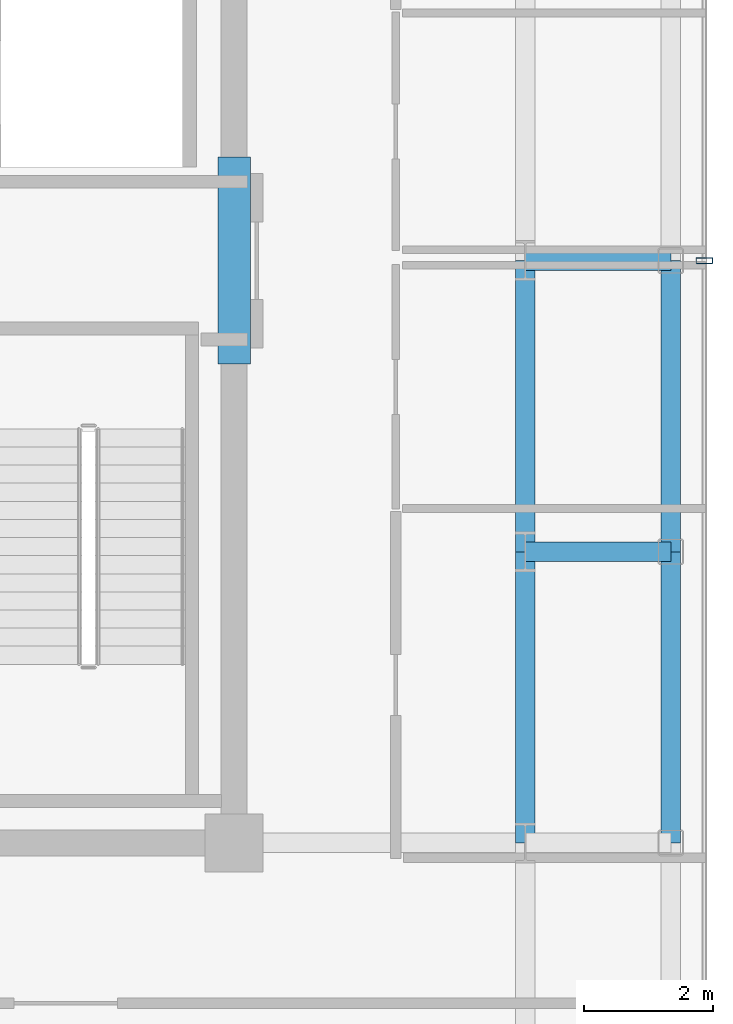
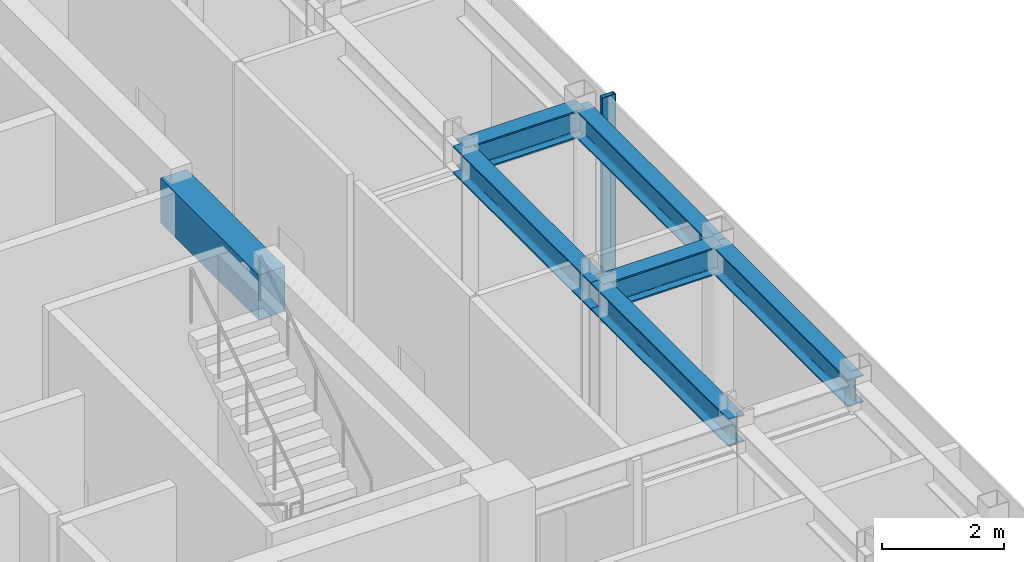
# One storey, part 7 of 17: 7 beams, 1 member, 1 element without a shape of its own.
"""IFC4 building model written with IfcOpenShell, lengths in metres."""

from ifc_helpers import new_model, si_unit, direction, frame, origin, origin_2d, place, context, subcontext, project, spatial, rectangle, hollow_rectangle, i_section, extrude, source, transform, mapped, material, layer, layer_set, material_profile, profile_set, type_object, element, aggregate, save


model = new_model("IFC4")

# Units and contexts
model_context = context("Model", 3, precision=1e-05, world=origin(), true_north=direction((0.0, 1.0)))
body_context = subcontext(model_context, "Body", "Model", "MODEL_VIEW")
ifc_project = project(units=[si_unit("LENGTHUNIT", "METRE"), si_unit("AREAUNIT", "SQUARE_METRE"), si_unit("VOLUMEUNIT", "CUBIC_METRE"), si_unit("PLANEANGLEUNIT", "RADIAN"), si_unit("MASSUNIT", "GRAM", prefix="KILO")], contexts=[model_context])

# Site, building, storey
site_placement = place(None, origin())
site = spatial("IfcSite", under=ifc_project, at=site_placement, CompositionType="ELEMENT")
building_placement = place(site_placement, origin())
building = spatial("IfcBuilding", under=site, at=building_placement, Name="Nefas-Gora Pilgrimage Tower", CompositionType="ELEMENT")
storey_placement = place(building_placement, frame((0.0, 0.0, 349.0)))
storey = spatial("IfcBuildingStorey", under=building, at=storey_placement, Name="L88", CompositionType="ELEMENT", Elevation=349.0)

# Beams
ifc_material_1 = material(Name="Concrete C50/60", Category="concrete")
ifc_material_profile_1 = material_profile(ifc_material_1, rectangle(XDim=0.5, YDim=0.89990234375, at=origin_2d()), Name="RC 500x900")
ifc_profile_set_1 = profile_set([ifc_material_profile_1], Name="Concrete C50/60")
beam_type_1 = type_object("IfcBeamType", Name="BM-LIN-RC900", PredefinedType="LINTEL", material=ifc_profile_set_1)
shared_shape_1 = source(origin(), body_context, "Body", "SweptSolid", [
    extrude(rectangle(XDim=0.5, YDim=0.89990234375, at=origin_2d()), origin(), (0.0, 0.0, 1.0), 3.2001953125),
])
beam_placement = place(storey_placement, frame((11.25, -1.60009765625, 4.050048828125), z_axis=(0.0, 1.0, 0.0), x_axis=(-1.0, 0.0, 0.0)))
element("IfcBeam", 1, at=beam_placement, inside=storey, type_object=beam_type_1, Name="L88 Core Coupling Lintel Beam E", PredefinedType="LINTEL", context=body_context, shape_type="MappedRepresentation", body=[
    mapped(shared_shape_1, transform((0.0, 0.0, 0.0), x_axis=(1.0, 0.0, 0.0), y_axis=(0.0, 1.0, 0.0), z_axis=(0.0, 0.0, 1.0), scale=1.0)),
])
ifc_material_2 = material(Name="Steel S355", Category="steel")
ifc_material_profile_2 = material_profile(ifc_material_2, i_section(OverallWidth=0.300048828125, OverallDepth=0.550048828125, WebThickness=0.014892578125, FlangeThickness=0.029052734375, FilletRadius=0.027099609375, at=origin_2d()), Name="HEB 550")
ifc_profile_set_2 = profile_set([ifc_material_profile_2], Name="Steel S355")
beam_type_2 = type_object("IfcBeamType", Name="BM-SPN-HEB400", PredefinedType="SPANDREL", material=ifc_profile_set_2)
shared_shape_2 = source(origin(), body_context, "Body", "SweptSolid", [
    extrude(i_section(OverallWidth=0.300048828125, OverallDepth=0.550048828125, WebThickness=0.014892578125, FlangeThickness=0.029052734375, FilletRadius=0.027099609375, at=origin_2d()), origin(), (0.0, 0.0, 1.0), 4.5),
])
for number, where, z_axis, x_axis, name in (
    (2, (18.0, -9.0, 4.22509765625), (0.0, 1.0, 0.0), (-1.0, 0.0, 0.0), "L88 SP-04 beam"),
    (3, (18.0, -4.5, 4.22509765625), (0.0, 1.0, 0.0), (-1.0, 0.0, 0.0), "L88 SP-04 beam"),
):
    element("IfcBeam", number, at=place(storey_placement, frame(where, z_axis=z_axis, x_axis=x_axis)), inside=storey, type_object=beam_type_2, Name=name, PredefinedType="SPANDREL", context=body_context, shape_type="MappedRepresentation", body=[
        mapped(shared_shape_2, transform((0.0, 0.0, 0.0), x_axis=(1.0, 0.0, 0.0), y_axis=(0.0, 1.0, 0.0), z_axis=(0.0, 0.0, 1.0), scale=1.0)),
    ])
ifc_material_profile_3 = material_profile(ifc_material_2, i_section(OverallWidth=0.300048828125, OverallDepth=0.550048828125, WebThickness=0.014892578125, FlangeThickness=0.029052734375, FilletRadius=0.027099609375, at=origin_2d()), Name="HEB 550")
ifc_profile_set_3 = profile_set([ifc_material_profile_3], Name="Steel S355")
beam_type_3 = type_object("IfcBeamType", Name="BM-GIR-HEB550", PredefinedType="BEAM", material=ifc_profile_set_3)
shared_shape_3 = source(origin(), body_context, "Body", "SweptSolid", [
    extrude(i_section(OverallWidth=0.300048828125, OverallDepth=0.550048828125, WebThickness=0.014892578125, FlangeThickness=0.029052734375, FilletRadius=0.027099609375, at=origin_2d()), origin(), (0.0, 0.0, 1.0), 4.5),
])
for number, where, z_axis, x_axis, name in (
    (4, (15.75, -9.0, 4.22509765625), (0.0, 1.0, 0.0), (-1.0, 0.0, 0.0), "L88 G-05 beam"),
    (5, (15.75, -4.5, 4.22509765625), (0.0, 1.0, 0.0), (-1.0, 0.0, 0.0), "L88 G-05 beam"),
):
    element("IfcBeam", number, at=place(storey_placement, frame(where, z_axis=z_axis, x_axis=x_axis)), inside=storey, type_object=beam_type_3, Name=name, PredefinedType="BEAM", context=body_context, shape_type="MappedRepresentation", body=[
        mapped(shared_shape_3, transform((0.0, 0.0, 0.0), x_axis=(1.0, 0.0, 0.0), y_axis=(0.0, 1.0, 0.0), z_axis=(0.0, 0.0, 1.0), scale=1.0)),
    ])
shared_shape_4 = source(origin(), body_context, "Body", "SweptSolid", [
    extrude(i_section(OverallWidth=0.300048828125, OverallDepth=0.550048828125, WebThickness=0.014892578125, FlangeThickness=0.029052734375, FilletRadius=0.027099609375, at=origin_2d()), origin(), (0.0, 0.0, 1.0), 2.25),
])
for number, where, z_axis, x_axis, name in (
    (6, (15.75, -4.5, 4.22509765625), (1.0, 0.0, 0.0), (0.0, 1.0, 0.0), "L88 G-05 beam"),
    (7, (15.75, 0.0, 4.22509765625), (1.0, 0.0, 0.0), (0.0, 1.0, 0.0), "L88 G-05 beam"),
):
    element("IfcBeam", number, at=place(storey_placement, frame(where, z_axis=z_axis, x_axis=x_axis)), inside=storey, type_object=beam_type_3, Name=name, PredefinedType="BEAM", context=body_context, shape_type="MappedRepresentation", body=[
        mapped(shared_shape_4, transform((0.0, 0.0, 0.0), x_axis=(1.0, 0.0, 0.0), y_axis=(0.0, 1.0, 0.0), z_axis=(0.0, 0.0, 1.0), scale=1.0)),
    ])

# Curtain wall, member
ifc_material_3 = material(Name="Dark ceramic-fritted solar-control aluminium-glass curtain wall", Category="aluminium")
ifc_layer = layer(ifc_material_3, 0.219970703125)
ifc_layer_set = layer_set([ifc_layer], Name="Dark ceramic-fritted solar-control aluminium-glass curtain wall")
curtain_wall_type = type_object("IfcCurtainWallType", Name="CW-SYS-6", PredefinedType="NOTDEFINED", material=ifc_layer_set)
curtain_wall_placement = place(storey_placement, origin())
curtain_wall = element("IfcCurtainWall", 8, at=curtain_wall_placement, inside=storey, type_object=curtain_wall_type, Name="L88 Unitised Curtain Wall CW6", PredefinedType="NOTDEFINED")
ifc_material_4 = material(Name="Anodised architectural aluminium", Category="aluminium")
ifc_material_profile_4 = material_profile(ifc_material_4, hollow_rectangle(XDim=0.090087890625, YDim=0.260009765625, WallThickness=0.006103515625, InnerFilletRadius=0.006103515625, OuterFilletRadius=0.011962890625, at=origin_2d()), Name="ALU MULLION 90x260")
ifc_profile_set_4 = profile_set([ifc_material_profile_4], Name="Anodised architectural aluminium")
member_type = type_object("IfcMemberType", Name="CWM-MUL-6", PredefinedType="MULLION", material=ifc_profile_set_4)
shared_shape_5 = source(origin(), body_context, "Body", "SweptSolid", [
    extrude(hollow_rectangle(XDim=0.090087890625, YDim=0.260009765625, WallThickness=0.006103515625, InnerFilletRadius=0.006103515625, OuterFilletRadius=0.011962890625, at=origin_2d()), origin(), (0.0, 0.0, 1.0), 4.5),
])
member_placement = place(storey_placement, frame((18.52001953125, 0.0, 0.0), z_axis=(0.0, 0.0, 1.0), x_axis=(0.0, 1.0, 0.0)))
member = element("IfcMember", 9, at=member_placement, type_object=member_type, Name="CW6 Mullion 2", PredefinedType="MULLION", context=body_context, shape_type="MappedRepresentation", body=[
    mapped(shared_shape_5, transform((0.0, 0.0, 0.0), x_axis=(1.0, 0.0, 0.0), y_axis=(0.0, 1.0, 0.0), z_axis=(0.0, 0.0, 1.0), scale=1.0)),
])
aggregate(curtain_wall, [member])

save(model, "model.ifc")
